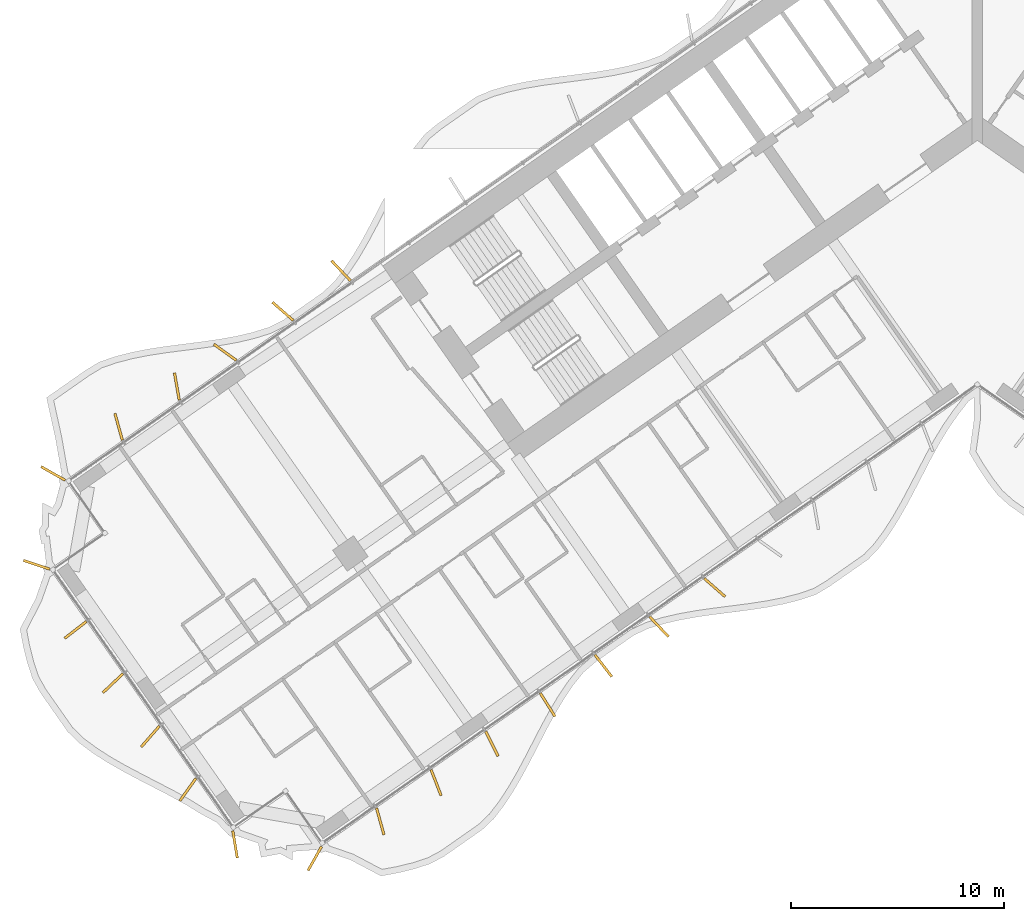
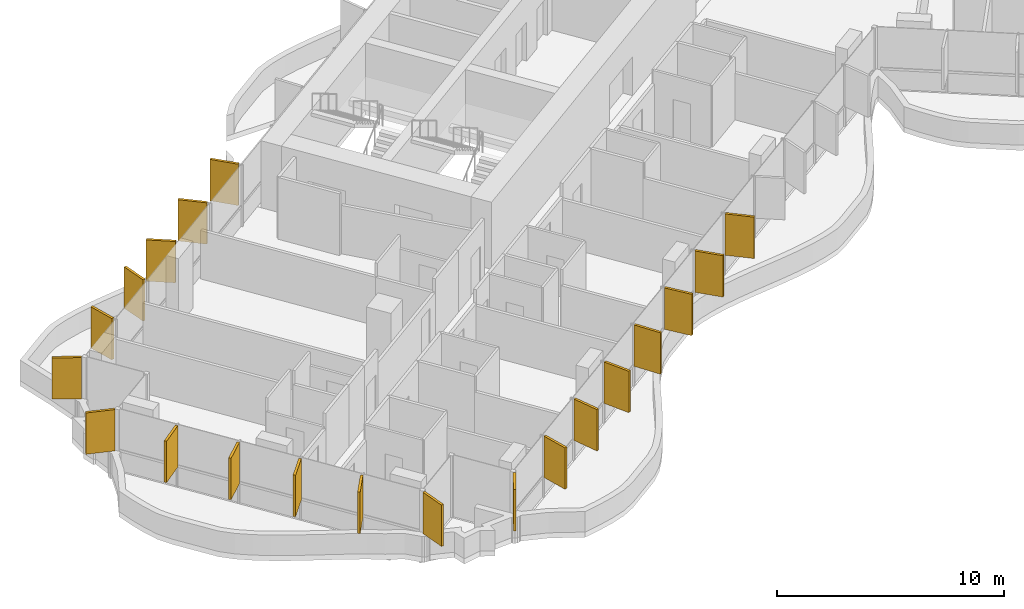
# One storey, part 20 of 25: 20 shading devices.
"""IFC4 building model written with IfcOpenShell, lengths in metres."""

import ifcopenshell
import ifcopenshell.guid

model = None  # the IFC model being written
_history = None  # IfcOwnerHistory: only IFC2X3 demands one
_inside = {}  # id of a spatial element -> (the spatial element, [elements in it])
_under = {}  # id of a project, library or spatial element -> (it, [spatial elements below it])
_declared = {}  # id of a project -> (the project, [libraries it declares])
_typed = {}  # id of a type object -> (the type object, [elements of that type])
_made_of = {}  # id of a material, layer set ... -> (it, [elements and type objects made of it])


def new_model(schema):
    """Start an empty IFC model of exactly this schema.

    Asked for "IFC4X3", IfcOpenShell would pick the latest addendum, in which some entities
    have other attributes; the version numbers below select the first issue.
    IFC2X3 requires an IfcOwnerHistory on every rooted entity: one is made here for all.
    """
    global model, _history
    if schema == "IFC4X3":
        model = ifcopenshell.file(schema_version=(4, 3, 0, 0))
    else:
        model = ifcopenshell.file(schema=schema)
    _inside.clear()
    _under.clear()
    _declared.clear()
    _typed.clear()
    _made_of.clear()
    _history = None
    if model.schema == "IFC2X3":
        org = make("IfcOrganization", Name="unknown")
        user = make(
            "IfcPersonAndOrganization",
            ThePerson=make("IfcPerson", FamilyName="unknown"),
            TheOrganization=org,
        )
        app = make(
            "IfcApplication",
            ApplicationDeveloper=org,
            Version="unknown",
            ApplicationFullName="unknown",
            ApplicationIdentifier="unknown",
        )
        _history = make(
            "IfcOwnerHistory",
            OwningUser=user,
            OwningApplication=app,
            ChangeAction="ADDED",
            CreationDate=0,
        )
    return model


def make(cls, **values):
    """One entity of the class cls with the attributes given. An attribute that is None is left unset."""
    return model.create_entity(
        cls, **{name: value for name, value in values.items() if value is not None}
    )


def rooted(cls, **values):
    """An entity with a GlobalId (a new one), such as an element, a storey or a relation."""
    return make(cls, GlobalId=ifcopenshell.guid.new(), OwnerHistory=_history, **values)


def si_unit(unit_type, name, prefix=None):
    """IfcSIUnit, for example si_unit("LENGTHUNIT", "METRE", prefix="MILLI")."""
    return make("IfcSIUnit", UnitType=unit_type, Prefix=prefix, Name=name)


def assignment(units):
    """IfcUnitAssignment: the units of a project."""
    return None if units is None else make("IfcUnitAssignment", Units=units)


def point(xyz):
    """IfcCartesianPoint."""
    return None if xyz is None else make("IfcCartesianPoint", Coordinates=xyz)


def direction(xyz):
    """IfcDirection."""
    return None if xyz is None else make("IfcDirection", DirectionRatios=xyz)


def frame(location, z_axis=None, x_axis=None):
    """IfcAxis2Placement3D, a coordinate frame: its origin and axes. An axis left out is left unset."""
    return make(
        "IfcAxis2Placement3D",
        Location=point(location),
        Axis=direction(z_axis),
        RefDirection=direction(x_axis),
    )


def frame_2d(location, x_axis=None):
    """IfcAxis2Placement2D, a coordinate frame in the plane: its origin and x axis."""
    return make(
        "IfcAxis2Placement2D", Location=point(location), RefDirection=direction(x_axis)
    )


def origin():
    """The frame at (0, 0, 0) with its axes left unset."""
    return frame((0.0, 0.0, 0.0))


def origin_2d():
    """The frame at (0, 0) in the plane with its x axis left unset."""
    return frame_2d((0.0, 0.0))


def place(relative_to, where):
    """IfcLocalPlacement: puts the frame where relative to a parent placement (None: the world)."""
    return make(
        "IfcLocalPlacement", PlacementRelTo=relative_to, RelativePlacement=where
    )


def context(
    kind, dimensions, precision=None, world=None, true_north=None, identifier=None
):
    """IfcGeometricRepresentationContext, for example the 3D "Model" context."""
    return make(
        "IfcGeometricRepresentationContext",
        ContextIdentifier=identifier,
        ContextType=kind,
        CoordinateSpaceDimension=dimensions,
        Precision=precision,
        WorldCoordinateSystem=world,
        TrueNorth=true_north,
    )


def subcontext(parent, identifier, kind, view, scale=None):
    """IfcGeometricRepresentationSubContext, for example "Body" below "Model"."""
    return make(
        "IfcGeometricRepresentationSubContext",
        ContextIdentifier=identifier,
        ContextType=kind,
        ParentContext=parent,
        TargetScale=scale,
        TargetView=view,
    )


def project(units=None, contexts=None):
    """IfcProject with its units and contexts."""
    return rooted(
        "IfcProject",
        Name="project",
        RepresentationContexts=contexts,
        UnitsInContext=assignment(units),
    )


def spatial(cls, under=None, at=None, **own):
    """A site, building, storey or space (cls), placed at a placement, below another one or the project."""
    s = rooted(cls, ObjectPlacement=at, **own)
    if under is not None:
        _under.setdefault(under.id(), (under, []))[1].append(s)
    return s


def profile(cls, at=None, kind="AREA", **sizes):
    """A parametric profile (cls). Its sizes go by their IFC names, for example OverallWidth=200.0."""
    return make(cls, ProfileType=kind, Position=at, **sizes)


def rectangle(**sizes):
    """IfcRectangleProfileDef."""
    return profile("IfcRectangleProfileDef", **sizes)


def extrude(swept, where, along, depth):
    """IfcExtrudedAreaSolid: the profile swept, set in the frame where, extruded along a direction by depth."""
    return make(
        "IfcExtrudedAreaSolid",
        SweptArea=swept,
        Position=where,
        ExtrudedDirection=direction(along),
        Depth=depth,
    )


def shape(context_of_items, identifier, shape_type, items):
    """IfcShapeRepresentation: the items that make up one representation, for example the "Body"."""
    return make(
        "IfcShapeRepresentation",
        ContextOfItems=context_of_items,
        RepresentationIdentifier=identifier,
        RepresentationType=shape_type,
        Items=items,
    )


def material(Name=None, Category=None):
    """IfcMaterial."""
    return make("IfcMaterial", Name=Name, Category=Category)


def layer(
    of_material, thickness, ventilated=None, Name=None, Category=None, Priority=None
):
    """IfcMaterialLayer: one layer of a wall or slab, of a material (None: an air gap)."""
    return make(
        "IfcMaterialLayer",
        Material=of_material,
        LayerThickness=thickness,
        IsVentilated=ventilated,
        Name=Name,
        Category=Category,
        Priority=Priority,
    )


def layer_set(layers, Name=None):
    """IfcMaterialLayerSet."""
    return make("IfcMaterialLayerSet", MaterialLayers=layers, LayerSetName=Name)


def made_of(thing, what):
    """Note that an element or type object is made of a material, layer set ...; save() writes the relation."""
    if what is not None:
        _made_of.setdefault(what.id(), (what, []))[1].append(thing)
    return thing


def type_object(cls, material=None, **own):
    """A type object (cls), such as IfcWallType, which elements share."""
    return made_of(rooted(cls, **own), material)


def element(
    cls,
    number,
    at=None,
    inside=None,
    cuts=None,
    type_object=None,
    material=None,
    context=None,
    identifier="Body",
    shape_type=None,
    held_by="IfcProductDefinitionShape",
    body=None,
    shapes=None,
    **own,
):
    """One element of the class cls, such as IfcWall. Its Tag is "e" and its number.

    at: its placement. inside: the storey or other place that contains it. cuts: it is an
    opening in that element (IfcRelVoidsElement). A single representation is given by context,
    identifier, shape_type and body (its items); several are given by shapes. held_by: the class
    of the entity that holds the representations. save() writes the other relations.
    """
    e = rooted(cls, Tag="e%d" % number, ObjectPlacement=at, **own)
    if body is not None:
        shapes = [shape(context, identifier, shape_type, body)]
    if shapes is not None:
        e.Representation = make(held_by, Representations=shapes)
    if inside is not None:
        _inside.setdefault(inside.id(), (inside, []))[1].append(e)
    if cuts is not None:
        rooted(
            "IfcRelVoidsElement", RelatingBuildingElement=cuts, RelatedOpeningElement=e
        )
    if type_object is not None:
        _typed.setdefault(type_object.id(), (type_object, []))[1].append(e)
    return made_of(e, material)


def aggregate(whole, parts):
    """IfcRelAggregates: a whole, such as a stair, and the parts it consists of."""
    return rooted("IfcRelAggregates", RelatingObject=whole, RelatedObjects=parts)


def save(model, path):
    """Write the relations noted so far, then the file.

    IfcRelAggregates (storeys below a building ...), IfcRelContainedInSpatialStructure (elements
    in a storey), IfcRelDefinesByType, IfcRelAssociatesMaterial and IfcRelDeclares: one each for
    every whole, place, type object, material and project.
    """
    for whole, parts in _under.values():
        aggregate(whole, parts)
    for where, things in _inside.values():
        rooted(
            "IfcRelContainedInSpatialStructure",
            RelatedElements=things,
            RelatingStructure=where,
        )
    for kind, things in _typed.values():
        rooted("IfcRelDefinesByType", RelatedObjects=things, RelatingType=kind)
    for what, things in _made_of.values():
        rooted("IfcRelAssociatesMaterial", RelatedObjects=things, RelatingMaterial=what)
    for by, libraries in _declared.values():
        rooted("IfcRelDeclares", RelatingContext=by, RelatedDefinitions=libraries)
    model.write(path)


model = new_model("IFC4")

# Units and contexts
model_context = context("Model", 3, precision=1e-05, world=origin(), true_north=direction((0.0, 1.0)))
body_context = subcontext(model_context, "Body", "Model", "MODEL_VIEW")
ifc_project = project(units=[si_unit("LENGTHUNIT", "METRE"), si_unit("AREAUNIT", "SQUARE_METRE"), si_unit("VOLUMEUNIT", "CUBIC_METRE"), si_unit("PLANEANGLEUNIT", "RADIAN"), si_unit("MASSUNIT", "GRAM", prefix="KILO")], contexts=[model_context])

# Site, building, storey
site_placement = place(None, origin())
site = spatial("IfcSite", under=ifc_project, at=site_placement, CompositionType="ELEMENT")
building_placement = place(site_placement, origin())
building = spatial("IfcBuilding", under=site, at=building_placement, Name="Tel Ilan Convention Tower", CompositionType="ELEMENT")
storey_placement = place(building_placement, frame((0.0, 0.0, 54.5)))
storey = spatial("IfcBuildingStorey", under=building, at=storey_placement, Name="L08", CompositionType="ELEMENT", Elevation=54.5)

# Shading devices
ifc_material = material(Name="Aluminium, bronze anodised", Category="aluminium")
ifc_layer = layer(ifc_material, 0.1201171875)
ifc_layer_set = layer_set([ifc_layer], Name="FIN BRONZE 1300x120")
shading_device_type = type_object("IfcShadingDeviceType", Name="FIN BRONZE 1300x120", PredefinedType="USERDEFINED", material=ifc_layer_set)
for number, where, z_axis, x_axis, name in (
    (1, (-29.933837890625, -7.3466796875, 1.10009765625), (0.0, 0.0, 1.0), (-0.686241637865, 0.727373641577, 0.0), "FIN"),
    (2, (-32.660888671875, -9.26416015625, 1.10009765625), (0.0, 0.0, 1.0), (-0.753435896329, 0.657521368568, 0.0), "FIN"),
    (3, (-35.383544921875, -11.185791015625, 1.10009765625), (0.0, 0.0, 1.0), (-0.813552070258, 0.581492071294, 0.0), "FIN"),
    (4, (-37.65087890625, -12.7958984375, 1.10009765625), (0.0, 0.0, 1.0), (-0.173648177667, 0.984807753012, 0.0), "FIN"),
    (5, (-40.3896484375, -14.69091796875, 1.10009765625), (0.0, 0.0, 1.0), (-0.268172612768, 0.963370878614, 0.0), "FIN"),
    (6, (-43.4697265625, -16.886962890625, 1.10009765625), (0.0, 0.0, 1.0), (-0.870832754082, 0.491579408049, 0.0), "FIN"),
    (7, (-44.24609375, -21.18212890625, 1.10009765625), (0.0, 0.0, 1.0), (-0.949242643575, 0.314544756146, 0.0), "FIN"),
    (8, (-42.416015625, -24.2451171875, 1.10009765625), (0.0, 0.0, 1.0), (-0.790392669516, -0.612600545196, 0.0), "FIN"),
    (9, (-40.6591796875, -26.753662109375, 1.10009765625), (0.0, 0.0, 1.0), (-0.727373641577, -0.686241637865, 0.0), "FIN"),
    (10, (-38.897705078125, -29.258056640625, 1.10009765625), (0.0, 0.0, 1.0), (-0.657521368568, -0.753435896329, 0.0), "FIN"),
    (11, (-37.132080078125, -31.7578125, 1.10009765625), (0.0, 0.0, 1.0), (-0.581492071294, -0.813552070258, 0.0), "FIN"),
    (12, (-34.914306640625, -34.335693359375, 1.10009765625), (0.0, 0.0, 1.0), (0.16409119891, -0.986445172547, 0.0), "FIN"),
    (13, (-31.162109375, -34.997314453125, 1.10009765625), (0.0, 0.0, 1.0), (-0.491579408049, -0.870832754082, 0.0), "FIN"),
    (14, (-28.083984375, -33.254638671875, 1.10009765625), (0.0, 0.0, 1.0), (0.268172612768, -0.963370878614, 0.0), "FIN"),
    (15, (-25.457275390625, -31.430908203125, 1.10009765625), (0.0, 0.0, 1.0), (0.360177724803, -0.932883704733, 0.0), "FIN"),
    (16, (-22.8330078125, -29.60107421875, 1.10009765625), (0.0, 0.0, 1.0), (0.448799180206, -0.893632640321, 0.0), "FIN"),
    (17, (-20.211669921875, -27.765869140625, 1.10009765625), (0.0, 0.0, 1.0), (0.533204432798, -0.845986425922, 0.0), "FIN"),
    (18, (-17.590087890625, -25.930419921875, 1.10009765625), (0.0, 0.0, 1.0), (0.612600545196, -0.790392669516, 0.0), "FIN"),
    (19, (-14.968994140625, -24.094482421875, 1.10009765625), (0.0, 0.0, 1.0), (0.686241637865, -0.727373641577, 0.0), "FIN"),
    (20, (-12.35205078125, -22.25439453125, 1.10009765625), (0.0, 0.0, 1.0), (0.753435896329, -0.657521368568, 0.0), "FIN"),
):
    element("IfcShadingDevice", number, at=place(storey_placement, frame(where, z_axis=z_axis, x_axis=x_axis)), inside=storey, type_object=shading_device_type, Name=name, ObjectType="FIN", PredefinedType="USERDEFINED", context=body_context, shape_type="SweptSolid", body=[
        extrude(rectangle(XDim=1.300048828125, YDim=0.1201171875, at=origin_2d()), origin(), (0.0, 0.0, 1.0), 2.219970703125),
    ])

save(model, "model.ifc")
